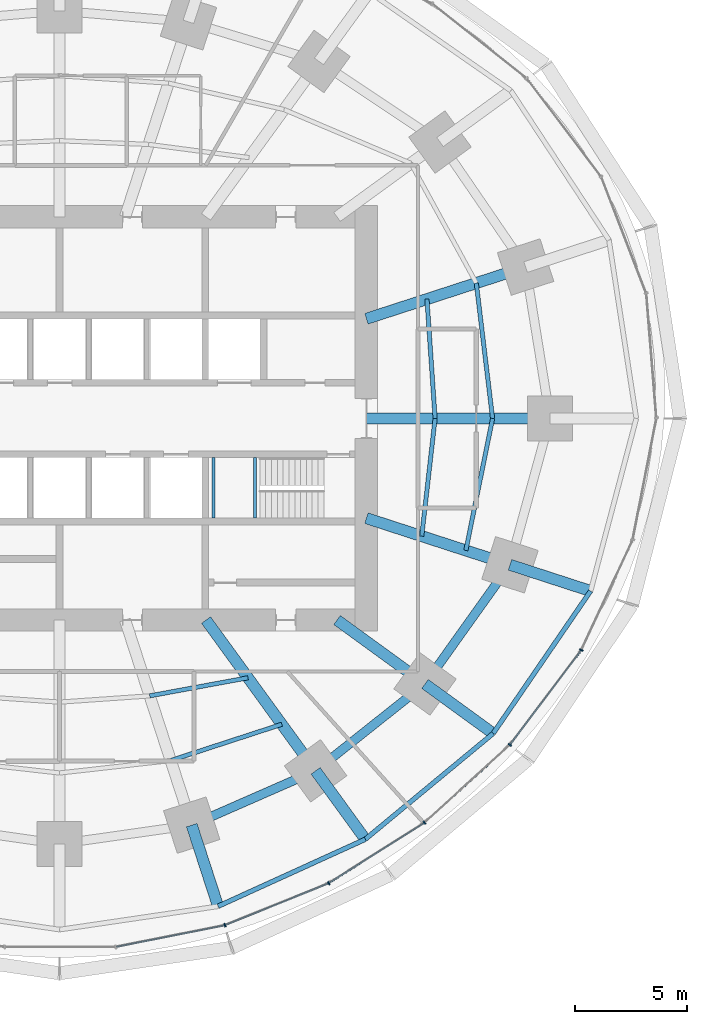
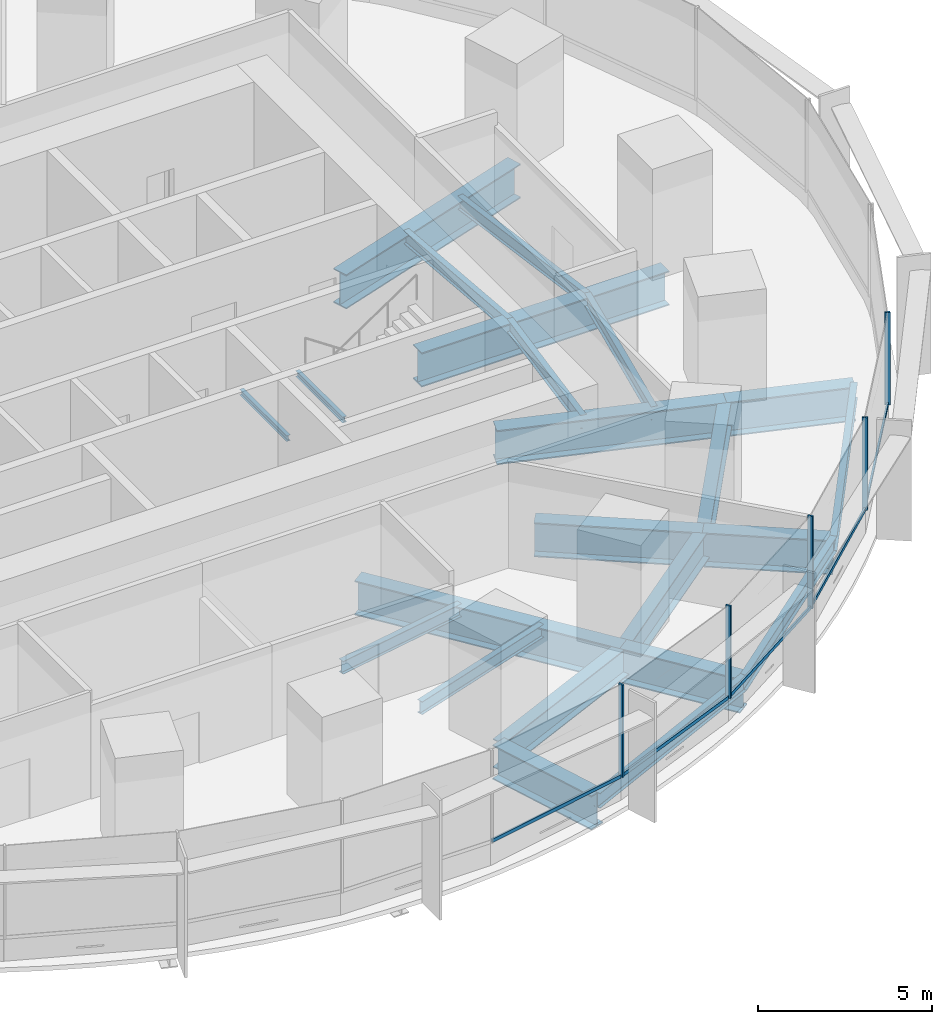
# One storey, part 5 of 15: 23 beams, 10 members, 2 elements without a shape of their own.
"""IFC4 building model written with IfcOpenShell, lengths in metres."""

from ifc_helpers import new_model, si_unit, direction, frame, origin, origin_2d, place, context, subcontext, project, spatial, rectangle, i_section, extrude, material, material_profile, profile_set, type_object, element, aggregate, save


model = new_model("IFC4")

# Units and contexts
model_context = context("Model", 3, precision=1e-05, world=origin(), true_north=direction((0.0, 1.0)))
body_context = subcontext(model_context, "Body", "Model", "MODEL_VIEW")
ifc_project = project(units=[si_unit("LENGTHUNIT", "METRE"), si_unit("AREAUNIT", "SQUARE_METRE"), si_unit("VOLUMEUNIT", "CUBIC_METRE"), si_unit("PLANEANGLEUNIT", "RADIAN"), si_unit("MASSUNIT", "GRAM", prefix="KILO")], contexts=[model_context])

# Site, building, storey
site_placement = place(None, origin())
site = spatial("IfcSite", under=ifc_project, at=site_placement, CompositionType="ELEMENT")
building_placement = place(site_placement, origin())
building = spatial("IfcBuilding", under=site, at=building_placement, Name="Marramba Exchange Tower", CompositionType="ELEMENT")
storey_placement = place(building_placement, frame((0.0, 0.0, 44.800048828125)))
storey = spatial("IfcBuildingStorey", under=building, at=storey_placement, Name="L10", CompositionType="ELEMENT", Elevation=44.800048828125)

# Beams
ifc_material_1 = material(Name="Steel AS/NZS 3679.2 grade 300", Category="steel")
ifc_material_profile_1 = material_profile(ifc_material_1, i_section(OverallWidth=0.5, OverallDepth=1.199951171875, WebThickness=0.01611328125, FlangeThickness=0.0400390625, at=origin_2d()), Name="1200WB455")
ifc_profile_set_1 = profile_set([ifc_material_profile_1], Name="Steel AS/NZS 3679.2 grade 300")
beam_type_1 = type_object("IfcBeamType", Name="Cantilever girder 1200WB455", PredefinedType="BEAM", material=ifc_profile_set_1)
beam_1_placement = place(storey_placement, frame((5.899658203125, -18.156982421875, -0.760009765625), z_axis=(0.309009272901, -0.951059025119, 0.0), x_axis=(0.951059025119, 0.309009272901, 0.0)))
element("IfcBeam", 1, at=beam_1_placement, inside=storey, type_object=beam_type_1, Name="Cantilever girder L10 TC17", PredefinedType="BEAM", context=body_context, shape_type="SweptSolid", body=[
    extrude(i_section(OverallWidth=0.5, OverallDepth=1.199951171875, WebThickness=0.01611328125, FlangeThickness=0.0400390625, at=origin_2d()), origin(), (0.0, 0.0, 1.0), 3.809814453125),
])
beam_2_placement = place(storey_placement, frame((11.430419921875, -15.732666015625, -0.760009765625), z_axis=(0.587787232741, -0.809015555491, 0.0), x_axis=(0.809015555491, 0.587787232741, 0.0)))
element("IfcBeam", 2, at=beam_2_placement, inside=storey, type_object=beam_type_1, Name="Cantilever girder L10 TC18", PredefinedType="BEAM", context=body_context, shape_type="SweptSolid", body=[
    extrude(i_section(OverallWidth=0.5, OverallDepth=1.199951171875, WebThickness=0.01611328125, FlangeThickness=0.0400390625, at=origin_2d()), origin(), (0.0, 0.0, 1.0), 3.7763671875),
])
beam_3_placement = place(storey_placement, frame((16.3154296875, -11.853759765625, -0.760009765625), z_axis=(0.809008346081, -0.587797155463, 0.0), x_axis=(0.587797155463, 0.809008346081, 0.0)))
element("IfcBeam", 3, at=beam_3_placement, inside=storey, type_object=beam_type_1, Name="Cantilever girder L10 TC19", PredefinedType="BEAM", context=body_context, shape_type="SweptSolid", body=[
    extrude(i_section(OverallWidth=0.5, OverallDepth=1.199951171875, WebThickness=0.01611328125, FlangeThickness=0.0400390625, at=origin_2d()), origin(), (0.0, 0.0, 1.0), 3.76025390625),
])
beam_4_placement = place(storey_placement, frame((20.109375, -6.533935546875, -0.760009765625), z_axis=(0.951048759501, -0.309040866314, 0.0), x_axis=(0.309040866314, 0.951048759501, 0.0)))
element("IfcBeam", 4, at=beam_4_placement, inside=storey, type_object=beam_type_1, Name="Cantilever girder L10 TC20", PredefinedType="BEAM", context=body_context, shape_type="SweptSolid", body=[
    extrude(i_section(OverallWidth=0.5, OverallDepth=1.199951171875, WebThickness=0.01611328125, FlangeThickness=0.0400390625, at=origin_2d()), origin(), (0.0, 0.0, 1.0), 3.78564453125),
])
ifc_material_2 = material(Name="Steel AS/NZS 3679.1 grade 300", Category="steel")
ifc_material_profile_2 = material_profile(ifc_material_2, i_section(OverallWidth=0.18994140625, OverallDepth=0.4541015625, WebThickness=0.008544921875, FlangeThickness=0.0126953125, FilletRadius=0.011474609375, at=origin_2d()), Name="460UB67.1")
ifc_profile_set_2 = profile_set([ifc_material_profile_2], Name="Steel AS/NZS 3679.1 grade 300")
beam_type_2 = type_object("IfcBeamType", Name="Floor joist 460UB67.1", PredefinedType="JOIST", material=ifc_profile_set_2)
beam_5_placement = place(storey_placement, frame((16.7666015625, 0.0, -0.386962890625), z_axis=(-0.068096259546, 0.99767875563, 0.0), x_axis=(-0.99767875563, -0.068096259546, 0.0)))
element("IfcBeam", 5, at=beam_5_placement, inside=storey, type_object=beam_type_2, Name="Joist L10 bay 01 row 1", PredefinedType="JOIST", context=body_context, shape_type="SweptSolid", body=[
    extrude(i_section(OverallWidth=0.18994140625, OverallDepth=0.4541015625, WebThickness=0.008544921875, FlangeThickness=0.0126953125, FilletRadius=0.011474609375, at=origin_2d()), origin(), (0.0, 0.0, 1.0), 5.342041015625),
])
beam_6_placement = place(storey_placement, frame((19.333251953125, 0.0, -0.386962890625), z_axis=(-0.119523078538, 0.992831422597, 0.0), x_axis=(-0.992831422597, -0.119523078538, 0.0)))
element("IfcBeam", 6, at=beam_6_placement, inside=storey, type_object=beam_type_2, Name="Joist L10 bay 01 row 2", PredefinedType="JOIST", context=body_context, shape_type="SweptSolid", body=[
    extrude(i_section(OverallWidth=0.18994140625, OverallDepth=0.4541015625, WebThickness=0.008544921875, FlangeThickness=0.0126953125, FilletRadius=0.011474609375, at=origin_2d()), origin(), (0.0, 0.0, 1.0), 6.089111328125),
])
beam_7_placement = place(storey_placement, frame((4.0244140625, -12.3857421875, -0.386962890625), z_axis=(0.983455754421, 0.181148500119, 0.0), x_axis=(-0.181148500119, 0.983455754421, 0.0)))
element("IfcBeam", 7, at=beam_7_placement, inside=storey, type_object=beam_type_2, Name="Joist L10 bay 17 row 1", PredefinedType="JOIST", context=body_context, shape_type="SweptSolid", body=[
    extrude(i_section(OverallWidth=0.18994140625, OverallDepth=0.4541015625, WebThickness=0.008544921875, FlangeThickness=0.0126953125, FilletRadius=0.011474609375, at=origin_2d()), origin(), (0.0, 0.0, 1.0), 4.4609375),
])
beam_8_placement = place(storey_placement, frame((4.9619140625, -15.271484375, -0.386962890625), z_axis=(0.950764024931, 0.309915744834, 0.0), x_axis=(-0.309915744834, 0.950764024931, 0.0)))
element("IfcBeam", 8, at=beam_8_placement, inside=storey, type_object=beam_type_2, Name="Joist L10 bay 17 row 2", PredefinedType="JOIST", context=body_context, shape_type="SweptSolid", body=[
    extrude(i_section(OverallWidth=0.18994140625, OverallDepth=0.4541015625, WebThickness=0.008544921875, FlangeThickness=0.0126953125, FilletRadius=0.011474609375, at=origin_2d()), origin(), (0.0, 0.0, 1.0), 5.2158203125),
])
beam_9_placement = place(storey_placement, frame((16.169677734375, -5.25390625, -0.386962890625), z_axis=(0.112888968594, 0.993607609054, 0.0), x_axis=(-0.993607609054, 0.112888968594, 0.0)))
element("IfcBeam", 9, at=beam_9_placement, inside=storey, type_object=beam_type_2, Name="Joist L10 bay 20 row 1", PredefinedType="JOIST", context=body_context, shape_type="SweptSolid", body=[
    extrude(i_section(OverallWidth=0.18994140625, OverallDepth=0.4541015625, WebThickness=0.008544921875, FlangeThickness=0.0126953125, FilletRadius=0.011474609375, at=origin_2d()), origin(), (0.0, 0.0, 1.0), 5.28759765625),
])
beam_10_placement = place(storey_placement, frame((18.1396484375, -5.893798828125, -0.386962890625), z_axis=(0.198489047047, 0.980103105904, 0.0), x_axis=(-0.980103105904, 0.198489047047, 0.0)))
element("IfcBeam", 10, at=beam_10_placement, inside=storey, type_object=beam_type_2, Name="Joist L10 bay 20 row 2", PredefinedType="JOIST", context=body_context, shape_type="SweptSolid", body=[
    extrude(i_section(OverallWidth=0.18994140625, OverallDepth=0.4541015625, WebThickness=0.008544921875, FlangeThickness=0.0126953125, FilletRadius=0.011474609375, at=origin_2d()), origin(), (0.0, 0.0, 1.0), 6.013427734375),
])
ifc_material_profile_3 = material_profile(ifc_material_1, i_section(OverallWidth=0.5, OverallDepth=1.199951171875, WebThickness=0.01611328125, FlangeThickness=0.0400390625, at=origin_2d()), Name="1200WB455")
ifc_profile_set_3 = profile_set([ifc_material_profile_3], Name="Steel AS/NZS 3679.2 grade 300")
beam_type_3 = type_object("IfcBeamType", Name="Radial girder 1200WB455", PredefinedType="BEAM", material=ifc_profile_set_3)
beam_11_placement = place(storey_placement, frame((13.699951171875, 0.0, -0.760009765625), z_axis=(1.0, 0.0, 0.0), x_axis=(0.0, 1.0, 0.0)))
element("IfcBeam", 11, at=beam_11_placement, inside=storey, type_object=beam_type_3, Name="Radial girder L10 TC01", PredefinedType="BEAM", context=body_context, shape_type="SweptSolid", body=[
    extrude(i_section(OverallWidth=0.5, OverallDepth=1.199951171875, WebThickness=0.01611328125, FlangeThickness=0.0400390625, at=origin_2d()), origin(), (0.0, 0.0, 1.0), 8.199951171875),
])
beam_12_placement = place(storey_placement, frame((13.699951171875, 4.451416015625, -0.760009765625), z_axis=(0.951059990189, 0.309006302624, 0.0), x_axis=(-0.309006302624, 0.951059990189, 0.0)))
element("IfcBeam", 12, at=beam_12_placement, inside=storey, type_object=beam_type_3, Name="Radial girder L10 TC02", PredefinedType="BEAM", context=body_context, shape_type="SweptSolid", body=[
    extrude(i_section(OverallWidth=0.5, OverallDepth=1.199951171875, WebThickness=0.01611328125, FlangeThickness=0.0400390625, at=origin_2d()), origin(), (0.0, 0.0, 1.0), 7.47412109375),
])
beam_13_placement = place(storey_placement, frame((6.538818359375, -9.0, -0.760009765625), z_axis=(0.587787877172, -0.809015087282, 0.0), x_axis=(0.809015087282, 0.587787877172, 0.0)))
element("IfcBeam", 13, at=beam_13_placement, inside=storey, type_object=beam_type_3, Name="Radial girder L10 TC18", PredefinedType="BEAM", context=body_context, shape_type="SweptSolid", body=[
    extrude(i_section(OverallWidth=0.5, OverallDepth=1.199951171875, WebThickness=0.01611328125, FlangeThickness=0.0400390625, at=origin_2d()), origin(), (0.0, 0.0, 1.0), 8.322021484375),
])
beam_14_placement = place(storey_placement, frame((12.387451171875, -9.0, -0.760009765625), z_axis=(0.809025189606, -0.58777397236, 0.0), x_axis=(0.58777397236, 0.809025189606, 0.0)))
element("IfcBeam", 14, at=beam_14_placement, inside=storey, type_object=beam_type_3, Name="Radial girder L10 TC19", PredefinedType="BEAM", context=body_context, shape_type="SweptSolid", body=[
    extrude(i_section(OverallWidth=0.5, OverallDepth=1.199951171875, WebThickness=0.01611328125, FlangeThickness=0.0400390625, at=origin_2d()), origin(), (0.0, 0.0, 1.0), 4.855224609375),
])
beam_15_placement = place(storey_placement, frame((13.699951171875, -4.451416015625, -0.760009765625), z_axis=(0.951057759669, -0.309013167637, 0.0), x_axis=(0.309013167637, 0.951057759669, 0.0)))
element("IfcBeam", 15, at=beam_15_placement, inside=storey, type_object=beam_type_3, Name="Radial girder L10 TC20", PredefinedType="BEAM", context=body_context, shape_type="SweptSolid", body=[
    extrude(i_section(OverallWidth=0.5, OverallDepth=1.199951171875, WebThickness=0.01611328125, FlangeThickness=0.0400390625, at=origin_2d()), origin(), (0.0, 0.0, 1.0), 6.7392578125),
])
ifc_material_profile_4 = material_profile(ifc_material_1, i_section(OverallWidth=0.39990234375, OverallDepth=1.0, WebThickness=0.01611328125, FlangeThickness=0.031982421875, at=origin_2d()), Name="1000WB322")
ifc_profile_set_4 = profile_set([ifc_material_profile_4], Name="Steel AS/NZS 3679.2 grade 300")
beam_type_4 = type_object("IfcBeamType", Name="Ring beam 1000WB322", PredefinedType="SPANDREL", material=ifc_profile_set_4)
beam_16_placement = place(storey_placement, frame((5.899658203125, -18.156982421875, -0.66015625), z_axis=(0.915876892158, 0.4014592363, 0.0), x_axis=(-0.4014592363, 0.915876892158, 0.0)))
element("IfcBeam", 16, at=beam_16_placement, inside=storey, type_object=beam_type_4, Name="Ring beam L10 TC17-TC18", PredefinedType="SPANDREL", context=body_context, shape_type="SweptSolid", body=[
    extrude(i_section(OverallWidth=0.39990234375, OverallDepth=1.0, WebThickness=0.01611328125, FlangeThickness=0.031982421875, at=origin_2d()), origin(), (0.0, 0.0, 1.0), 6.038818359375),
])
beam_17_placement = place(storey_placement, frame((11.430419921875, -15.732666015625, -0.66015625), z_axis=(0.783139438128, 0.621846138887, 0.0), x_axis=(-0.621846138887, 0.783139438128, 0.0)))
element("IfcBeam", 17, at=beam_17_placement, inside=storey, type_object=beam_type_4, Name="Ring beam L10 TC18-TC19", PredefinedType="SPANDREL", context=body_context, shape_type="SweptSolid", body=[
    extrude(i_section(OverallWidth=0.39990234375, OverallDepth=1.0, WebThickness=0.01611328125, FlangeThickness=0.031982421875, at=origin_2d()), origin(), (0.0, 0.0, 1.0), 6.23779296875),
])
beam_18_placement = place(storey_placement, frame((16.3154296875, -11.853759765625, -0.66015625), z_axis=(0.580637181111, 0.814162430914, 0.0), x_axis=(-0.814162430914, 0.580637181111, 0.0)))
element("IfcBeam", 18, at=beam_18_placement, inside=storey, type_object=beam_type_4, Name="Ring beam L10 TC19-TC20", PredefinedType="SPANDREL", context=body_context, shape_type="SweptSolid", body=[
    extrude(i_section(OverallWidth=0.39990234375, OverallDepth=1.0, WebThickness=0.01611328125, FlangeThickness=0.031982421875, at=origin_2d()), origin(), (0.0, 0.0, 1.0), 6.5341796875),
])
ifc_material_profile_5 = material_profile(ifc_material_2, i_section(OverallWidth=0.208984375, OverallDepth=0.528076171875, WebThickness=0.009521484375, FlangeThickness=0.01318359375, FilletRadius=0.013916015625, at=origin_2d()), Name="530UB82.0")
ifc_profile_set_5 = profile_set([ifc_material_profile_5], Name="Steel AS/NZS 3679.1 grade 300")
beam_type_5 = type_object("IfcBeamType", Name="Slab edge beam 530UB82.0", PredefinedType="SPANDREL", material=ifc_profile_set_5)
beam_19_placement = place(storey_placement, frame((7.076904296875, -21.7802734375, -0.424072265625), z_axis=(0.910126690081, 0.414330071324, 0.0), x_axis=(-0.414330071324, 0.910126690081, 0.0)))
element("IfcBeam", 19, at=beam_19_placement, inside=storey, type_object=beam_type_5, Name="Slab edge beam L10 TC17-TC18", PredefinedType="SPANDREL", context=body_context, shape_type="SweptSolid", body=[
    extrude(i_section(OverallWidth=0.208984375, OverallDepth=0.528076171875, WebThickness=0.009521484375, FlangeThickness=0.01318359375, FilletRadius=0.013916015625, at=origin_2d()), origin(), (0.0, 0.0, 1.0), 7.222412109375),
])
beam_20_placement = place(storey_placement, frame((13.650146484375, -18.787841796875, -0.424072265625), z_axis=(0.770353575372, 0.637616945283, 0.0), x_axis=(-0.637616945283, 0.770353575372, 0.0)))
element("IfcBeam", 20, at=beam_20_placement, inside=storey, type_object=beam_type_5, Name="Slab edge beam L10 TC18-TC19", PredefinedType="SPANDREL", context=body_context, shape_type="SweptSolid", body=[
    extrude(i_section(OverallWidth=0.208984375, OverallDepth=0.528076171875, WebThickness=0.009521484375, FlangeThickness=0.01318359375, FilletRadius=0.013916015625, at=origin_2d()), origin(), (0.0, 0.0, 1.0), 7.40869140625),
])
beam_21_placement = place(storey_placement, frame((19.357421875, -14.06396484375, -0.424072265625), z_axis=(0.564740697285, 0.82526840775, 0.0), x_axis=(-0.82526840775, 0.564740697285, 0.0)))
element("IfcBeam", 21, at=beam_21_placement, inside=storey, type_object=beam_type_5, Name="Slab edge beam L10 TC19-TC20", PredefinedType="SPANDREL", context=body_context, shape_type="SweptSolid", body=[
    extrude(i_section(OverallWidth=0.208984375, OverallDepth=0.528076171875, WebThickness=0.009521484375, FlangeThickness=0.01318359375, FilletRadius=0.013916015625, at=origin_2d()), origin(), (0.0, 0.0, 1.0), 7.706787109375),
])
ifc_material_profile_6 = material_profile(ifc_material_2, i_section(OverallWidth=0.133056640625, OverallDepth=0.202880859375, WebThickness=0.005859375, FlangeThickness=0.0078125, FilletRadius=0.0087890625, at=origin_2d()), Name="200UB25.4")
ifc_profile_set_6 = profile_set([ifc_material_profile_6], Name="Steel AS/NZS 3679.1 grade 300")
beam_type_6 = type_object("IfcBeamType", Name="Stair landing beam 200UB25.4", PredefinedType="BEAM", material=ifc_profile_set_6)
for number, where, z_axis, x_axis, name in (
    (22, (6.866455078125, -4.449951171875, 1.79833984375), (0.0, 1.0, 0.0), (-1.0, 0.0, 0.0), "Stair landing beam SLB1 ST2 L10 1"),
    (23, (8.723388671875, -4.449951171875, 1.79833984375), (0.0, 1.0, 0.0), (-1.0, 0.0, 0.0), "Stair landing beam SLB1 ST2 L10 2"),
):
    element("IfcBeam", number, at=place(storey_placement, frame(where, z_axis=z_axis, x_axis=x_axis)), inside=storey, type_object=beam_type_6, Name=name, PredefinedType="BEAM", context=body_context, shape_type="SweptSolid", body=[
        extrude(i_section(OverallWidth=0.133056640625, OverallDepth=0.202880859375, WebThickness=0.005859375, FlangeThickness=0.0078125, FilletRadius=0.0087890625, at=origin_2d()), origin(), (0.0, 0.0, 1.0), 2.699951171875),
    ])

# Curtain wall, member
ifc_material_3 = material(Name="Aluminium framing, bronze anodised", Category="aluminium")
curtain_wall_type = type_object("IfcCurtainWallType", Name="Trading floor ribbon curtain wall", PredefinedType="USERDEFINED", material=ifc_material_3)
curtain_wall_1_placement = place(storey_placement, origin())
curtain_wall_1 = element("IfcCurtainWall", 24, at=curtain_wall_1_placement, inside=storey, type_object=curtain_wall_type, Name="Curtain wall CW3 L10 F21-F25", ObjectType="RIBBON CURTAIN WALL", PredefinedType="USERDEFINED")
ifc_material_4 = material(Name="Aluminium mullion, bronze anodised", Category="aluminium")
ifc_material_profile_7 = material_profile(ifc_material_4, rectangle(XDim=0.159912109375, YDim=0.06005859375, at=origin_2d()), Name="CW3 mullion 60x160")
ifc_profile_set_7 = profile_set([ifc_material_profile_7], Name="Aluminium mullion, bronze anodised")
member_type_1 = type_object("IfcMemberType", Name="Trading floor ribbon curtain wall mullion", PredefinedType="MULLION", material=ifc_profile_set_7)
member_1_placement = place(storey_placement, frame((7.3828125, -22.625, 0.800048828125), z_axis=(0.0, 0.0, 1.0), x_axis=(-0.374218219325, 0.927340673283, 0.0)))
member_1 = element("IfcMember", 25, at=member_1_placement, type_object=member_type_1, Name="CW3 mullion 1", PredefinedType="MULLION", context=body_context, shape_type="SweptSolid", body=[
    extrude(rectangle(XDim=0.159912109375, YDim=0.06005859375, at=origin_2d()), origin(), (0.0, 0.0, 1.0), 3.239990234375),
])

# Curtain wall, members
curtain_wall_2_placement = place(storey_placement, origin())
curtain_wall_2 = element("IfcCurtainWall", 26, at=curtain_wall_2_placement, inside=storey, type_object=curtain_wall_type, Name="Curtain wall CW3 L10 F26-F30", ObjectType="RIBBON CURTAIN WALL", PredefinedType="USERDEFINED")
member_2_placement = place(storey_placement, frame((12.0146484375, -20.75, 0.800048828125), z_axis=(0.0, 0.0, 1.0), x_axis=(-0.533514646612, 0.845790826298, 0.0)))
member_2 = element("IfcMember", 27, at=member_2_placement, type_object=member_type_1, Name="CW3 mullion 1", PredefinedType="MULLION", context=body_context, shape_type="SweptSolid", body=[
    extrude(rectangle(XDim=0.159912109375, YDim=0.06005859375, at=origin_2d()), origin(), (0.0, 0.0, 1.0), 3.239990234375),
])
member_3_placement = place(storey_placement, frame((16.2900390625, -18.047119140625, 0.800048828125), z_axis=(0.0, 0.0, 1.0), x_axis=(-0.673058133441, 0.739589581463, 0.0)))
member_3 = element("IfcMember", 28, at=member_3_placement, type_object=member_type_1, Name="CW3 mullion 1", PredefinedType="MULLION", context=body_context, shape_type="SweptSolid", body=[
    extrude(rectangle(XDim=0.159912109375, YDim=0.06005859375, at=origin_2d()), origin(), (0.0, 0.0, 1.0), 3.239990234375),
])
member_4_placement = place(storey_placement, frame((20.103515625, -14.569091796875, 0.800048828125), z_axis=(0.0, 0.0, 1.0), x_axis=(-0.797710591138, 0.603040473588, 0.0)))
member_4 = element("IfcMember", 29, at=member_4_placement, type_object=member_type_1, Name="CW3 mullion 1", PredefinedType="MULLION", context=body_context, shape_type="SweptSolid", body=[
    extrude(rectangle(XDim=0.159912109375, YDim=0.06005859375, at=origin_2d()), origin(), (0.0, 0.0, 1.0), 3.239990234375),
])
member_5_placement = place(storey_placement, frame((23.2939453125, -10.33837890625, 0.800048828125), z_axis=(0.0, 0.0, 1.0), x_axis=(-0.905906758768, 0.423477206492, 0.0)))
member_5 = element("IfcMember", 30, at=member_5_placement, type_object=member_type_1, Name="CW3 mullion 1", PredefinedType="MULLION", context=body_context, shape_type="SweptSolid", body=[
    extrude(rectangle(XDim=0.159912109375, YDim=0.06005859375, at=origin_2d()), origin(), (0.0, 0.0, 1.0), 3.239990234375),
])

# Member
ifc_material_5 = material(Name="Aluminium transom, bronze anodised", Category="aluminium")
ifc_material_profile_8 = material_profile(ifc_material_5, rectangle(XDim=0.06005859375, YDim=0.1201171875, at=origin_2d()), Name="CW3 transom 60x120")
ifc_profile_set_8 = profile_set([ifc_material_profile_8], Name="Aluminium transom, bronze anodised")
member_type_2 = type_object("IfcMemberType", Name="Trading floor ribbon curtain wall transom", PredefinedType="USERDEFINED", material=ifc_profile_set_8)
member_6_placement = place(storey_placement, frame((2.539306640625, -23.58837890625, 0.829833984375), z_axis=(0.981008707181, 0.193963698758, 0.0), x_axis=(-0.193963698758, 0.981008707181, 0.0)))
member_6 = element("IfcMember", 31, at=member_6_placement, type_object=member_type_2, Name="CW3 sill transom", ObjectType="TRANSOM", PredefinedType="USERDEFINED", context=body_context, shape_type="SweptSolid", body=[
    extrude(rectangle(XDim=0.06005859375, YDim=0.1201171875, at=origin_2d()), origin(), (0.0, 0.0, 1.0), 4.908935546875),
])

member_7_placement = place(storey_placement, frame((7.41064453125, -22.61376953125, 0.829833984375), z_axis=(0.927340197166, 0.374219399176, 0.0), x_axis=(-0.374219399176, 0.927340197166, 0.0)))
member_7 = element("IfcMember", 32, at=member_7_placement, type_object=member_type_2, Name="CW3 sill transom", ObjectType="TRANSOM", PredefinedType="USERDEFINED", context=body_context, shape_type="SweptSolid", body=[
    extrude(rectangle(XDim=0.06005859375, YDim=0.1201171875, at=origin_2d()), origin(), (0.0, 0.0, 1.0), 4.937255859375),
])

aggregate(curtain_wall_1, [member_6, member_1, member_7])

member_8_placement = place(storey_placement, frame((12.0400390625, -20.734130859375, 0.829833984375), z_axis=(0.845776602594, 0.533537195053, 0.0), x_axis=(-0.533537195053, 0.845776602594, 0.0)))
member_8 = element("IfcMember", 33, at=member_8_placement, type_object=member_type_2, Name="CW3 sill transom", ObjectType="TRANSOM", PredefinedType="USERDEFINED", context=body_context, shape_type="SweptSolid", body=[
    extrude(rectangle(XDim=0.06005859375, YDim=0.1201171875, at=origin_2d()), origin(), (0.0, 0.0, 1.0), 4.998779296875),
])

member_9_placement = place(storey_placement, frame((16.312255859375, -18.02685546875, 0.829833984375), z_axis=(0.739582688456, 0.673065707741, 0.0), x_axis=(-0.673065707741, 0.739582688456, 0.0)))
member_9 = element("IfcMember", 34, at=member_9_placement, type_object=member_type_2, Name="CW3 sill transom", ObjectType="TRANSOM", PredefinedType="USERDEFINED", context=body_context, shape_type="SweptSolid", body=[
    extrude(rectangle(XDim=0.06005859375, YDim=0.1201171875, at=origin_2d()), origin(), (0.0, 0.0, 1.0), 5.101806640625),
])

member_10_placement = place(storey_placement, frame((20.12158203125, -14.545166015625, 0.829833984375), z_axis=(0.603037409419, 0.797712907531, 0.0), x_axis=(-0.797712907531, 0.603037409419, 0.0)))
member_10 = element("IfcMember", 35, at=member_10_placement, type_object=member_type_2, Name="CW3 sill transom", ObjectType="TRANSOM", PredefinedType="USERDEFINED", context=body_context, shape_type="SweptSolid", body=[
    extrude(rectangle(XDim=0.06005859375, YDim=0.1201171875, at=origin_2d()), origin(), (0.0, 0.0, 1.0), 5.239501953125),
])

aggregate(curtain_wall_2, [member_2, member_8, member_3, member_9, member_4, member_10, member_5])

save(model, "model.ifc")
